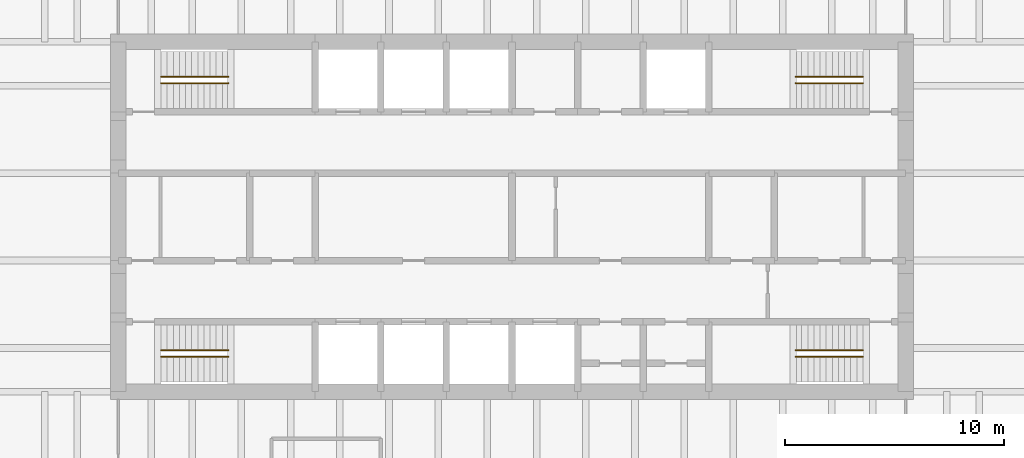
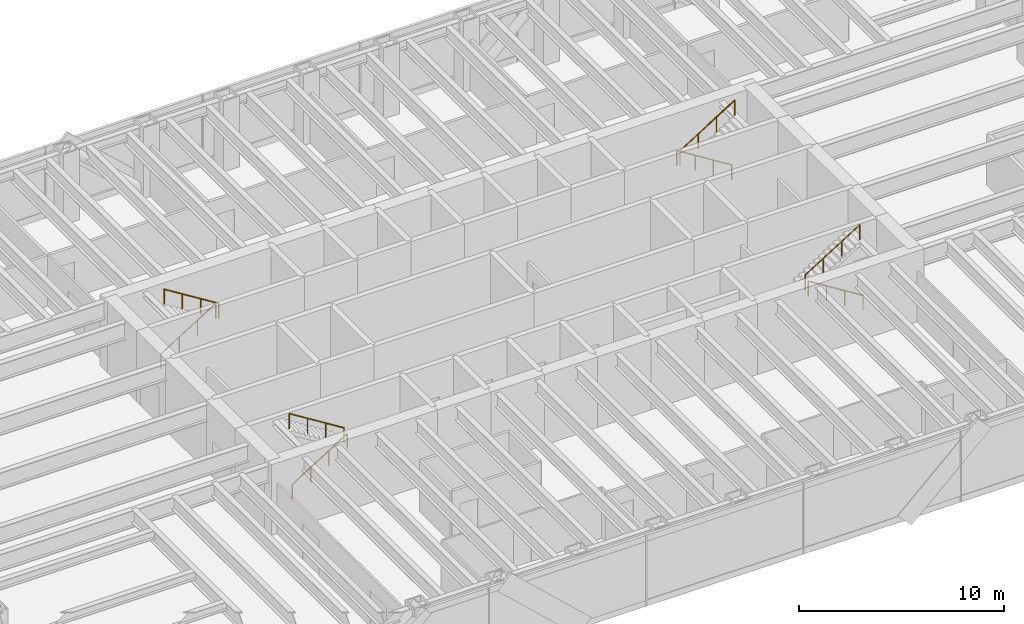
# One storey, part 17 of 17: 8 railings.
"""IFC4 building model written with IfcOpenShell, lengths in metres."""

from ifc_helpers import new_model, si_unit, direction, frame, origin, origin_2d, place, context, subcontext, project, spatial, circle, extrude, material, type_object, element, save


model = new_model("IFC4")

# Units and contexts
model_context = context("Model", 3, precision=1e-05, world=origin(), true_north=direction((0.0, 1.0)))
body_context = subcontext(model_context, "Body", "Model", "MODEL_VIEW")
ifc_project = project(units=[si_unit("LENGTHUNIT", "METRE"), si_unit("AREAUNIT", "SQUARE_METRE"), si_unit("VOLUMEUNIT", "CUBIC_METRE"), si_unit("PLANEANGLEUNIT", "RADIAN"), si_unit("MASSUNIT", "GRAM", prefix="KILO")], contexts=[model_context])

# Site, building, storey
site_placement = place(None, origin())
site = spatial("IfcSite", under=ifc_project, at=site_placement, CompositionType="ELEMENT")
building_placement = place(site_placement, origin())
building = spatial("IfcBuilding", under=site, at=building_placement, Name="Rheinbord Bourse Tower", CompositionType="ELEMENT")
storey_placement = place(building_placement, frame((0.0, 0.0, 283.699951171875)))
storey = spatial("IfcBuildingStorey", under=building, at=storey_placement, Name="L64", CompositionType="ELEMENT", Elevation=283.699951171875)

# Railings
ifc_material = material(Name="Steel handrail", Category="steel")
railing_type = type_object("IfcRailingType", Name="HANDRAIL 900", PredefinedType="HANDRAIL", material=ifc_material)
railing_1_placement = place(storey_placement, frame((19.949951171875, 17.60009765625, 0.175048828125)))
element("IfcRailing", 1, at=railing_1_placement, inside=storey, type_object=railing_type, Name="Handrail", PredefinedType="HANDRAIL", context=body_context, shape_type="SweptSolid", body=[
    extrude(circle(Radius=0.02392578125, at=origin_2d()), frame((0.0, 0.0, 0.8759765625), z_axis=(0.847998304005, 0.0, 0.529998940003), x_axis=(0.0, 1.0, 0.0)), (0.0, 0.0, 1.0), 3.632080078125),
    extrude(circle(Radius=0.02099609375, at=origin_2d()), origin(), (0.0, 0.0, 1.0), 0.851806640625),
    extrude(circle(Radius=0.02099609375, at=origin_2d()), frame((1.026611328125, 0.0, 0.6416015625)), (0.0, 0.0, 1.0), 0.851806640625),
    extrude(circle(Radius=0.02099609375, at=origin_2d()), frame((2.053466796875, 0.0, 1.283447265625)), (0.0, 0.0, 1.0), 0.851806640625),
    extrude(circle(Radius=0.02099609375, at=origin_2d()), frame((3.080078125, 0.0, 1.925048828125)), (0.0, 0.0, 1.0), 0.851806640625),
])
railing_2_placement = place(storey_placement, frame((23.030029296875, 17.89990234375, 2.275146484375)))
element("IfcRailing", 2, at=railing_2_placement, inside=storey, type_object=railing_type, Name="Handrail", PredefinedType="HANDRAIL", context=body_context, shape_type="SweptSolid", body=[
    extrude(circle(Radius=0.02392578125, at=origin_2d()), frame((0.0, 0.0, 0.8759765625), z_axis=(-0.848028513186, 0.0, 0.529950602248), x_axis=(0.0, -1.0, 0.0)), (0.0, 0.0, 1.0), 3.632080078125),
    extrude(circle(Radius=0.02099609375, at=origin_2d()), origin(), (0.0, 0.0, 1.0), 0.851806640625),
    extrude(circle(Radius=0.02099609375, at=origin_2d()), frame((-1.026611328125, 0.0, 0.6416015625)), (0.0, 0.0, 1.0), 0.851806640625),
    extrude(circle(Radius=0.02099609375, at=origin_2d()), frame((-2.053466796875, 0.0, 1.283203125)), (0.0, 0.0, 1.0), 0.851806640625),
    extrude(circle(Radius=0.02099609375, at=origin_2d()), frame((-3.080078125, 0.0, 1.9248046875)), (0.0, 0.0, 1.0), 0.851806640625),
])
railing_3_placement = place(storey_placement, frame((19.949951171875, 30.39990234375, 0.175048828125)))
element("IfcRailing", 3, at=railing_3_placement, inside=storey, type_object=railing_type, Name="Handrail", PredefinedType="HANDRAIL", context=body_context, shape_type="SweptSolid", body=[
    extrude(circle(Radius=0.02392578125, at=origin_2d()), frame((0.0, 0.0, 0.8759765625), z_axis=(0.847998304005, 0.0, 0.529998940003), x_axis=(0.0, 1.0, 0.0)), (0.0, 0.0, 1.0), 3.632080078125),
    extrude(circle(Radius=0.02099609375, at=origin_2d()), origin(), (0.0, 0.0, 1.0), 0.851806640625),
    extrude(circle(Radius=0.02099609375, at=origin_2d()), frame((1.026611328125, 0.0, 0.6416015625)), (0.0, 0.0, 1.0), 0.851806640625),
    extrude(circle(Radius=0.02099609375, at=origin_2d()), frame((2.053466796875, 0.0, 1.283447265625)), (0.0, 0.0, 1.0), 0.851806640625),
    extrude(circle(Radius=0.02099609375, at=origin_2d()), frame((3.080078125, 0.0, 1.925048828125)), (0.0, 0.0, 1.0), 0.851806640625),
])
railing_4_placement = place(storey_placement, frame((23.030029296875, 30.10009765625, 2.275146484375)))
element("IfcRailing", 4, at=railing_4_placement, inside=storey, type_object=railing_type, Name="Handrail", PredefinedType="HANDRAIL", context=body_context, shape_type="SweptSolid", body=[
    extrude(circle(Radius=0.02392578125, at=origin_2d()), frame((0.0, 0.0, 0.8759765625), z_axis=(-0.848028513186, 0.0, 0.529950602248), x_axis=(0.0, -1.0, 0.0)), (0.0, 0.0, 1.0), 3.632080078125),
    extrude(circle(Radius=0.02099609375, at=origin_2d()), origin(), (0.0, 0.0, 1.0), 0.851806640625),
    extrude(circle(Radius=0.02099609375, at=origin_2d()), frame((-1.026611328125, 0.0, 0.6416015625)), (0.0, 0.0, 1.0), 0.851806640625),
    extrude(circle(Radius=0.02099609375, at=origin_2d()), frame((-2.053466796875, 0.0, 1.283203125)), (0.0, 0.0, 1.0), 0.851806640625),
    extrude(circle(Radius=0.02099609375, at=origin_2d()), frame((-3.080078125, 0.0, 1.9248046875)), (0.0, 0.0, 1.0), 0.851806640625),
])
railing_5_placement = place(storey_placement, frame((52.050048828125, 17.60009765625, 0.175048828125)))
element("IfcRailing", 5, at=railing_5_placement, inside=storey, type_object=railing_type, Name="Handrail", PredefinedType="HANDRAIL", context=body_context, shape_type="SweptSolid", body=[
    extrude(circle(Radius=0.02392578125, at=origin_2d()), frame((0.0, 0.0, 0.8759765625), z_axis=(-0.847998304005, 0.0, 0.529998940003), x_axis=(0.0, -1.0, 0.0)), (0.0, 0.0, 1.0), 3.632080078125),
    extrude(circle(Radius=0.02099609375, at=origin_2d()), origin(), (0.0, 0.0, 1.0), 0.851806640625),
    extrude(circle(Radius=0.02099609375, at=origin_2d()), frame((-1.026611328125, 0.0, 0.6416015625)), (0.0, 0.0, 1.0), 0.851806640625),
    extrude(circle(Radius=0.02099609375, at=origin_2d()), frame((-2.053466796875, 0.0, 1.283447265625)), (0.0, 0.0, 1.0), 0.851806640625),
    extrude(circle(Radius=0.02099609375, at=origin_2d()), frame((-3.080078125, 0.0, 1.925048828125)), (0.0, 0.0, 1.0), 0.851806640625),
])
railing_6_placement = place(storey_placement, frame((48.969970703125, 17.89990234375, 2.275146484375)))
element("IfcRailing", 6, at=railing_6_placement, inside=storey, type_object=railing_type, Name="Handrail", PredefinedType="HANDRAIL", context=body_context, shape_type="SweptSolid", body=[
    extrude(circle(Radius=0.02392578125, at=origin_2d()), frame((0.0, 0.0, 0.8759765625), z_axis=(0.848028513186, 0.0, 0.529950602248), x_axis=(0.0, 1.0, 0.0)), (0.0, 0.0, 1.0), 3.632080078125),
    extrude(circle(Radius=0.02099609375, at=origin_2d()), origin(), (0.0, 0.0, 1.0), 0.851806640625),
    extrude(circle(Radius=0.02099609375, at=origin_2d()), frame((1.026611328125, 0.0, 0.6416015625)), (0.0, 0.0, 1.0), 0.851806640625),
    extrude(circle(Radius=0.02099609375, at=origin_2d()), frame((2.053466796875, 0.0, 1.283203125)), (0.0, 0.0, 1.0), 0.851806640625),
    extrude(circle(Radius=0.02099609375, at=origin_2d()), frame((3.080078125, 0.0, 1.9248046875)), (0.0, 0.0, 1.0), 0.851806640625),
])
railing_7_placement = place(storey_placement, frame((52.050048828125, 30.39990234375, 0.175048828125)))
element("IfcRailing", 7, at=railing_7_placement, inside=storey, type_object=railing_type, Name="Handrail", PredefinedType="HANDRAIL", context=body_context, shape_type="SweptSolid", body=[
    extrude(circle(Radius=0.02392578125, at=origin_2d()), frame((0.0, 0.0, 0.8759765625), z_axis=(-0.847998304005, 0.0, 0.529998940003), x_axis=(0.0, -1.0, 0.0)), (0.0, 0.0, 1.0), 3.632080078125),
    extrude(circle(Radius=0.02099609375, at=origin_2d()), origin(), (0.0, 0.0, 1.0), 0.851806640625),
    extrude(circle(Radius=0.02099609375, at=origin_2d()), frame((-1.026611328125, 0.0, 0.6416015625)), (0.0, 0.0, 1.0), 0.851806640625),
    extrude(circle(Radius=0.02099609375, at=origin_2d()), frame((-2.053466796875, 0.0, 1.283447265625)), (0.0, 0.0, 1.0), 0.851806640625),
    extrude(circle(Radius=0.02099609375, at=origin_2d()), frame((-3.080078125, 0.0, 1.925048828125)), (0.0, 0.0, 1.0), 0.851806640625),
])
railing_8_placement = place(storey_placement, frame((48.969970703125, 30.10009765625, 2.275146484375)))
element("IfcRailing", 8, at=railing_8_placement, inside=storey, type_object=railing_type, Name="Handrail", PredefinedType="HANDRAIL", context=body_context, shape_type="SweptSolid", body=[
    extrude(circle(Radius=0.02392578125, at=origin_2d()), frame((0.0, 0.0, 0.8759765625), z_axis=(0.848028513186, 0.0, 0.529950602248), x_axis=(0.0, 1.0, 0.0)), (0.0, 0.0, 1.0), 3.632080078125),
    extrude(circle(Radius=0.02099609375, at=origin_2d()), origin(), (0.0, 0.0, 1.0), 0.851806640625),
    extrude(circle(Radius=0.02099609375, at=origin_2d()), frame((1.026611328125, 0.0, 0.6416015625)), (0.0, 0.0, 1.0), 0.851806640625),
    extrude(circle(Radius=0.02099609375, at=origin_2d()), frame((2.053466796875, 0.0, 1.283203125)), (0.0, 0.0, 1.0), 0.851806640625),
    extrude(circle(Radius=0.02099609375, at=origin_2d()), frame((3.080078125, 0.0, 1.9248046875)), (0.0, 0.0, 1.0), 0.851806640625),
])

save(model, "model.ifc")
